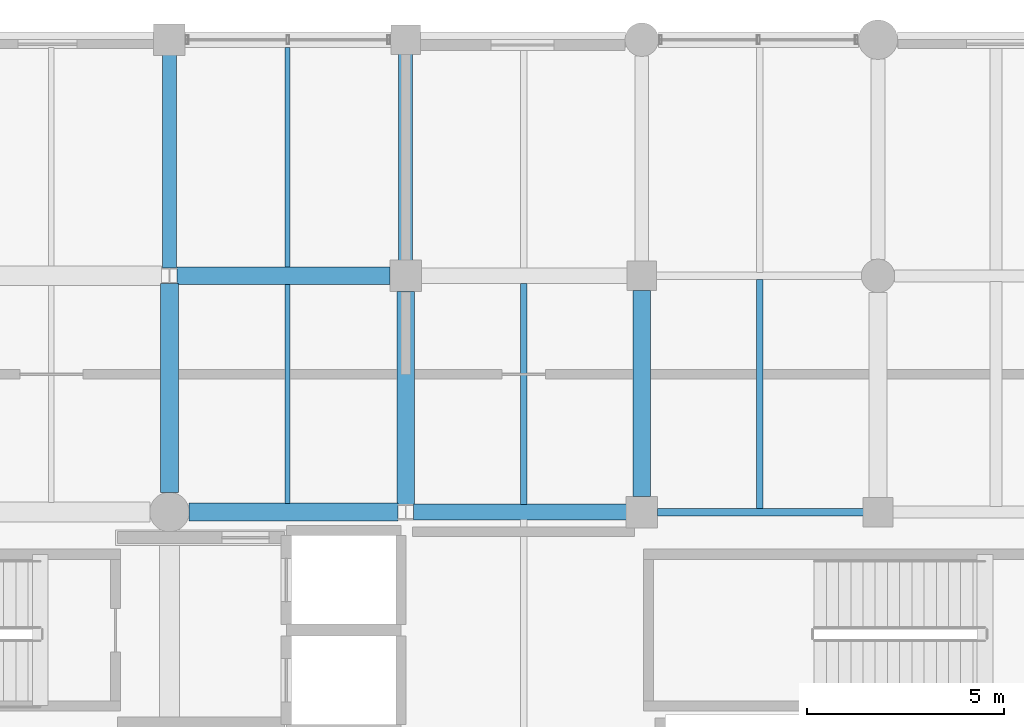
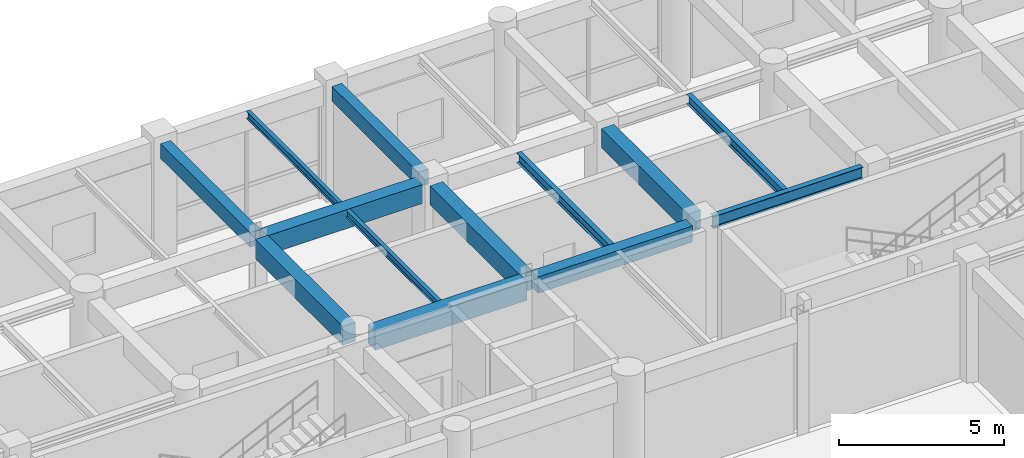
# One storey, part 80 of 133: 13 beams.
"""IFC4 building model written with IfcOpenShell, lengths in metres."""

from ifc_helpers import new_model, si_unit, direction, frame, origin, origin_2d, place, context, subcontext, project, spatial, rectangle, i_section, extrude, material, material_profile, profile_set, type_object, element, save


model = new_model("IFC4")

# Units and contexts
model_context = context("Model", 3, precision=1e-05, world=origin(), true_north=direction((0.0, 1.0)))
body_context = subcontext(model_context, "Body", "Model", "MODEL_VIEW")
ifc_project = project(units=[si_unit("LENGTHUNIT", "METRE"), si_unit("AREAUNIT", "SQUARE_METRE"), si_unit("VOLUMEUNIT", "CUBIC_METRE"), si_unit("PLANEANGLEUNIT", "RADIAN"), si_unit("MASSUNIT", "GRAM", prefix="KILO"), si_unit("THERMODYNAMICTEMPERATUREUNIT", "KELVIN"), si_unit("POWERUNIT", "WATT")], contexts=[model_context])

# Site, building, storey
site_placement = place(None, origin())
site = spatial("IfcSite", under=ifc_project, at=site_placement, CompositionType="ELEMENT")
building_placement = place(site_placement, origin())
building = spatial("IfcBuilding", under=site, at=building_placement, Name="Phaisarnlok Congress Hotel", CompositionType="ELEMENT")
storey_placement = place(building_placement, frame((0.0, 0.0, 6.0)))
storey = spatial("IfcBuildingStorey", under=building, at=storey_placement, Name="L01", CompositionType="ELEMENT", Elevation=6.0)

# Beams
ifc_material_1 = material(Name="Concrete C40/50", Category="concrete")
ifc_material_profile_1 = material_profile(ifc_material_1, rectangle(XDim=0.35009765625, YDim=0.550048828125, at=origin_2d()), Name="RC 350x550")
ifc_profile_set_1 = profile_set([ifc_material_profile_1], Name="Concrete C40/50")
beam_type_1 = type_object("IfcBeamType", Name="BM-RC-350x550", PredefinedType="BEAM", material=ifc_profile_set_1)
beam_1_placement = place(storey_placement, frame((144.0, 120.194580078125, 3.945068359375), z_axis=(0.0, 1.0, 0.0), x_axis=(-1.0, 0.0, 0.0)))
element("IfcBeam", 1, at=beam_1_placement, inside=storey, type_object=beam_type_1, Name="Beam B-01", PredefinedType="BEAM", context=body_context, shape_type="SweptSolid", body=[
    extrude(rectangle(XDim=0.35009765625, YDim=0.550048828125, at=origin_2d()), origin(), (0.0, 0.0, 1.0), 5.410400390625),
])
beam_2_placement = place(storey_placement, frame((150.0, 120.39501953125, 3.945068359375), z_axis=(0.0, 1.0, 0.0), x_axis=(-1.0, 0.0, 0.0)))
element("IfcBeam", 2, at=beam_2_placement, inside=storey, type_object=beam_type_1, Name="Beam B-01", PredefinedType="BEAM", context=body_context, shape_type="SweptSolid", body=[
    extrude(rectangle(XDim=0.35009765625, YDim=0.550048828125, at=origin_2d()), origin(), (0.0, 0.0, 1.0), 5.23486328125),
])
ifc_material_profile_2 = material_profile(ifc_material_1, rectangle(XDim=0.39990234375, YDim=0.60009765625, at=origin_2d()), Name="RC 400x600")
ifc_profile_set_2 = profile_set([ifc_material_profile_2], Name="Concrete C40/50")
beam_type_2 = type_object("IfcBeamType", Name="BM-RC-400x600", PredefinedType="BEAM", material=ifc_profile_set_2)
beam_3_placement = place(storey_placement, frame((150.195556640625, 114.0, 3.919921875), z_axis=(1.0, 0.0, 0.0), x_axis=(0.0, 1.0, 0.0)))
element("IfcBeam", 3, at=beam_3_placement, inside=storey, type_object=beam_type_2, Name="Beam B-02", PredefinedType="BEAM", context=body_context, shape_type="SweptSolid", body=[
    extrude(rectangle(XDim=0.39990234375, YDim=0.60009765625, at=origin_2d()), origin(), (0.0, 0.0, 1.0), 5.409423828125),
])
ifc_material_profile_3 = material_profile(ifc_material_1, rectangle(XDim=0.449951171875, YDim=0.699951171875, at=origin_2d()), Name="RC 450x700")
ifc_profile_set_3 = profile_set([ifc_material_profile_3], Name="Concrete C40/50")
beam_type_3 = type_object("IfcBeamType", Name="BM-RC-450x700", PredefinedType="BEAM", material=ifc_profile_set_3)
beam_4_placement = place(storey_placement, frame((144.4951171875, 114.0, 3.8701171875), z_axis=(1.0, 0.0, 0.0), x_axis=(0.0, 1.0, 0.0)))
element("IfcBeam", 4, at=beam_4_placement, inside=storey, type_object=beam_type_3, Name="Beam B-03", PredefinedType="BEAM", context=body_context, shape_type="SweptSolid", body=[
    extrude(rectangle(XDim=0.449951171875, YDim=0.699951171875, at=origin_2d()), origin(), (0.0, 0.0, 1.0), 5.309326171875),
])
beam_5_placement = place(storey_placement, frame((144.0, 114.4951171875, 3.8701171875), z_axis=(0.0, 1.0, 0.0), x_axis=(-1.0, 0.0, 0.0)))
element("IfcBeam", 5, at=beam_5_placement, inside=storey, type_object=beam_type_3, Name="Beam B-03", PredefinedType="BEAM", context=body_context, shape_type="SweptSolid", body=[
    extrude(rectangle(XDim=0.449951171875, YDim=0.699951171875, at=origin_2d()), origin(), (0.0, 0.0, 1.0), 5.310302734375),
])
beam_6_placement = place(storey_placement, frame((144.195556640625, 120.0, 3.8701171875), z_axis=(1.0, 0.0, 0.0), x_axis=(0.0, 1.0, 0.0)))
element("IfcBeam", 6, at=beam_6_placement, inside=storey, type_object=beam_type_3, Name="Beam B-03", PredefinedType="BEAM", context=body_context, shape_type="SweptSolid", body=[
    extrude(rectangle(XDim=0.449951171875, YDim=0.699951171875, at=origin_2d()), origin(), (0.0, 0.0, 1.0), 5.409423828125),
])
beam_7_placement = place(storey_placement, frame((150.0, 114.194580078125, 3.8701171875), z_axis=(0.0, 1.0, 0.0), x_axis=(-1.0, 0.0, 0.0)))
element("IfcBeam", 7, at=beam_7_placement, inside=storey, type_object=beam_type_3, Name="Beam B-03", PredefinedType="BEAM", context=body_context, shape_type="SweptSolid", body=[
    extrude(rectangle(XDim=0.449951171875, YDim=0.699951171875, at=origin_2d()), origin(), (0.0, 0.0, 1.0), 5.410400390625),
])
beam_8_placement = place(storey_placement, frame((156.0, 114.39501953125, 3.8701171875), z_axis=(0.0, 1.0, 0.0), x_axis=(-1.0, 0.0, 0.0)))
element("IfcBeam", 8, at=beam_8_placement, inside=storey, type_object=beam_type_3, Name="Beam B-03", PredefinedType="BEAM", context=body_context, shape_type="SweptSolid", body=[
    extrude(rectangle(XDim=0.449951171875, YDim=0.699951171875, at=origin_2d()), origin(), (0.0, 0.0, 1.0), 5.23486328125),
])
ifc_material_2 = material(Name="Steel S355", Category="steel")
ifc_material_profile_4 = material_profile(ifc_material_2, i_section(OverallWidth=0.18994140625, OverallDepth=0.449951171875, WebThickness=0.009521484375, FlangeThickness=0.0146484375, FilletRadius=0.02099609375, at=origin_2d()), Name="IPE 450")
ifc_profile_set_4 = profile_set([ifc_material_profile_4], Name="Steel S355")
beam_type_4 = type_object("IfcBeamType", Name="BM-STL-IPE450", PredefinedType="BEAM", material=ifc_profile_set_4)
beam_9_placement = place(storey_placement, frame((156.39501953125, 114.0, 3.9951171875), z_axis=(1.0, 0.0, 0.0), x_axis=(0.0, 1.0, 0.0)))
element("IfcBeam", 9, at=beam_9_placement, inside=storey, type_object=beam_type_4, Name="Beam SB-01", PredefinedType="BEAM", context=body_context, shape_type="SweptSolid", body=[
    extrude(i_section(OverallWidth=0.18994140625, OverallDepth=0.449951171875, WebThickness=0.009521484375, FlangeThickness=0.0146484375, FilletRadius=0.02099609375, at=origin_2d()), origin(), (0.0, 0.0, 1.0), 5.23486328125),
])
ifc_material_profile_5 = material_profile(ifc_material_2, i_section(OverallWidth=0.135009765625, OverallDepth=0.27001953125, WebThickness=0.006591796875, FlangeThickness=0.01025390625, FilletRadius=0.014892578125, at=origin_2d()), Name="IPE 270")
ifc_profile_set_5 = profile_set([ifc_material_profile_5], Name="Steel S355")
beam_type_5 = type_object("IfcBeamType", Name="JS-STL-IPE270", PredefinedType="JOIST", material=ifc_profile_set_5)
beam_10_placement = place(storey_placement, frame((147.0, 114.219970703125, 4.0849609375), z_axis=(0.0, 1.0, 0.0), x_axis=(-1.0, 0.0, 0.0)))
element("IfcBeam", 10, at=beam_10_placement, inside=storey, type_object=beam_type_5, Name="Secondary floor joist J-02", PredefinedType="JOIST", context=body_context, shape_type="SweptSolid", body=[
    extrude(i_section(OverallWidth=0.135009765625, OverallDepth=0.27001953125, WebThickness=0.006591796875, FlangeThickness=0.01025390625, FilletRadius=0.014892578125, at=origin_2d()), origin(), (0.0, 0.0, 1.0), 5.56005859375),
])
beam_11_placement = place(storey_placement, frame((147.0, 120.219970703125, 4.0849609375), z_axis=(0.0, 1.0, 0.0), x_axis=(-1.0, 0.0, 0.0)))
element("IfcBeam", 11, at=beam_11_placement, inside=storey, type_object=beam_type_5, Name="Secondary floor joist J-02", PredefinedType="JOIST", context=body_context, shape_type="SweptSolid", body=[
    extrude(i_section(OverallWidth=0.135009765625, OverallDepth=0.27001953125, WebThickness=0.006591796875, FlangeThickness=0.01025390625, FilletRadius=0.014892578125, at=origin_2d()), origin(), (0.0, 0.0, 1.0), 5.5849609375),
])
ifc_material_profile_6 = material_profile(ifc_material_2, i_section(OverallWidth=0.169921875, OverallDepth=0.360107421875, WebThickness=0.008056640625, FlangeThickness=0.0126953125, FilletRadius=0.01806640625, at=origin_2d()), Name="IPE 360")
ifc_profile_set_6 = profile_set([ifc_material_profile_6], Name="Steel S355")
beam_type_6 = type_object("IfcBeamType", Name="JS-STL-IPE360", PredefinedType="JOIST", material=ifc_profile_set_6)
beam_12_placement = place(storey_placement, frame((153.0, 114.195068359375, 4.0400390625), z_axis=(0.0, 1.0, 0.0), x_axis=(-1.0, 0.0, 0.0)))
element("IfcBeam", 12, at=beam_12_placement, inside=storey, type_object=beam_type_6, Name="Secondary floor joist J-04", PredefinedType="JOIST", context=body_context, shape_type="SweptSolid", body=[
    extrude(i_section(OverallWidth=0.169921875, OverallDepth=0.360107421875, WebThickness=0.008056640625, FlangeThickness=0.0126953125, FilletRadius=0.01806640625, at=origin_2d()), origin(), (0.0, 0.0, 1.0), 5.60986328125),
])
beam_13_placement = place(storey_placement, frame((159.0, 114.090087890625, 4.0400390625), z_axis=(0.0, 1.0, 0.0), x_axis=(-1.0, 0.0, 0.0)))
element("IfcBeam", 13, at=beam_13_placement, inside=storey, type_object=beam_type_6, Name="Secondary floor joist J-04", PredefinedType="JOIST", context=body_context, shape_type="SweptSolid", body=[
    extrude(i_section(OverallWidth=0.169921875, OverallDepth=0.360107421875, WebThickness=0.008056640625, FlangeThickness=0.0126953125, FilletRadius=0.01806640625, at=origin_2d()), origin(), (0.0, 0.0, 1.0), 5.81982421875),
])

save(model, "model.ifc")
